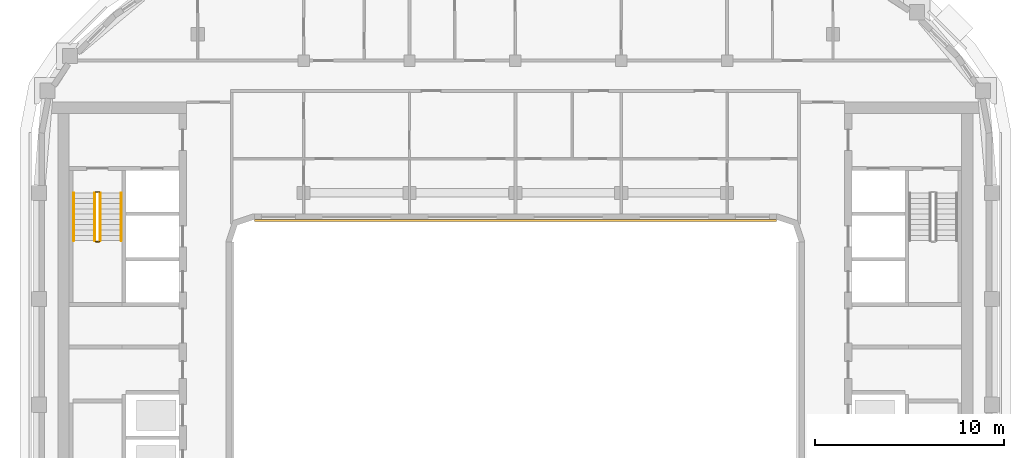
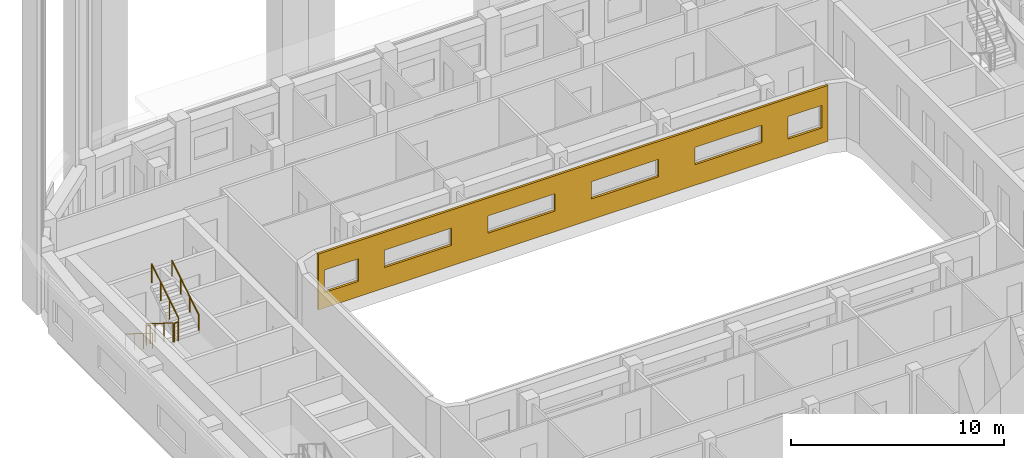
# One storey, part 14 of 19: 6 railings, 1 covering.
"""IFC4 building model written with IfcOpenShell, lengths in metres."""

from ifc_helpers import new_model, si_unit, direction, frame, origin, origin_2d, place, context, subcontext, project, spatial, polyline, circle, outline, extrude, material, layer, layer_set, type_object, element, save


model = new_model("IFC4")

# Units and contexts
model_context = context("Model", 3, precision=1e-05, world=origin(), true_north=direction((0.0, 1.0)))
body_context = subcontext(model_context, "Body", "Model", "MODEL_VIEW")
ifc_project = project(units=[si_unit("LENGTHUNIT", "METRE"), si_unit("AREAUNIT", "SQUARE_METRE"), si_unit("VOLUMEUNIT", "CUBIC_METRE"), si_unit("PLANEANGLEUNIT", "RADIAN"), si_unit("MASSUNIT", "GRAM", prefix="KILO")], contexts=[model_context])

# Site, building, storey
site_placement = place(None, origin())
site = spatial("IfcSite", under=ifc_project, at=site_placement, CompositionType="ELEMENT")
building_placement = place(site_placement, origin())
building = spatial("IfcBuilding", under=site, at=building_placement, Name="Kiln Ring Residences", CompositionType="ELEMENT")
storey_placement = place(building_placement, frame((0.0, 0.0, 241.699951171875)))
storey = spatial("IfcBuildingStorey", under=building, at=storey_placement, Name="L62", CompositionType="ELEMENT", Elevation=241.699951171875)

# Railings
ifc_material_1 = material(Name="Stainless steel", Category="steel")
railing_type_1 = type_object("IfcRailingType", Name="CORE-STAIR-GUARD", PredefinedType="GUARDRAIL", material=ifc_material_1)
railing_1_placement = place(storey_placement, frame((-22.25, 8.39990234375, 0.175048828125)))
element("IfcRailing", 1, at=railing_1_placement, inside=storey, type_object=railing_type_1, Name="L62 W-STN stair guard 1", PredefinedType="GUARDRAIL", context=body_context, shape_type="SweptSolid", body=[
    extrude(circle(Radius=0.02392578125, at=origin_2d()), frame((0.0, 0.0, 1.076171875), z_axis=(0.0, -0.848007534815, 0.529984170421), x_axis=(1.0, 0.0, 0.0)), (0.0, 0.0, 1.0), 2.9716796875),
    extrude(circle(Radius=0.02099609375, at=origin_2d()), origin(), (0.0, 0.0, 1.0), 1.052001953125),
    extrude(circle(Radius=0.02099609375, at=origin_2d()), frame((0.0, -0.840087890625, 0.52490234375)), (0.0, 0.0, 1.0), 1.052001953125),
    extrude(circle(Radius=0.02099609375, at=origin_2d()), frame((0.0, -1.679931640625, 1.050048828125)), (0.0, 0.0, 1.0), 1.052001953125),
    extrude(circle(Radius=0.02099609375, at=origin_2d()), frame((0.0, -2.52001953125, 1.574951171875)), (0.0, 0.0, 1.0), 1.052001953125),
])
railing_2_placement = place(storey_placement, frame((-22.199951171875, 5.830078125, 1.75)))
element("IfcRailing", 2, at=railing_2_placement, inside=storey, type_object=railing_type_1, Name="L62 W-STN stair guard 2", PredefinedType="GUARDRAIL", context=body_context, shape_type="SweptSolid", body=[
    extrude(circle(Radius=0.02392578125, at=origin_2d()), frame((0.0, 0.0, 1.076171875), z_axis=(1.0, 0.0, 0.0), x_axis=(0.0, 1.0, 0.0)), (0.0, 0.0, 1.0), 0.199951171875),
    extrude(circle(Radius=0.02099609375, at=origin_2d()), origin(), (0.0, 0.0, 1.0), 1.052001953125),
    extrude(circle(Radius=0.02099609375, at=origin_2d()), frame((0.199951171875, 0.0, 0.0)), (0.0, 0.0, 1.0), 1.052001953125),
])
railing_3_placement = place(storey_placement, frame((-21.949951171875, 5.8798828125, 1.925048828125)))
element("IfcRailing", 3, at=railing_3_placement, inside=storey, type_object=railing_type_1, Name="L62 W-STN stair guard 3", PredefinedType="GUARDRAIL", context=body_context, shape_type="SweptSolid", body=[
    extrude(circle(Radius=0.02392578125, at=origin_2d()), frame((0.0, 0.0, 1.076171875), z_axis=(0.0, 0.848007534815, 0.529984170421), x_axis=(-1.0, 0.0, 0.0)), (0.0, 0.0, 1.0), 2.9716796875),
    extrude(circle(Radius=0.02099609375, at=origin_2d()), origin(), (0.0, 0.0, 1.0), 1.052001953125),
    extrude(circle(Radius=0.02099609375, at=origin_2d()), frame((0.0, 0.840087890625, 0.52490234375)), (0.0, 0.0, 1.0), 1.052001953125),
    extrude(circle(Radius=0.02099609375, at=origin_2d()), frame((0.0, 1.679931640625, 1.050048828125)), (0.0, 0.0, 1.0), 1.052001953125),
    extrude(circle(Radius=0.02099609375, at=origin_2d()), frame((0.0, 2.52001953125, 1.574951171875)), (0.0, 0.0, 1.0), 1.052001953125),
])
railing_4_placement = place(storey_placement, frame((-22.199951171875, 8.449951171875, 0.0)))
element("IfcRailing", 4, at=railing_4_placement, inside=storey, type_object=railing_type_1, Name="L62 W-STN stair guard 4", PredefinedType="GUARDRAIL", context=body_context, shape_type="SweptSolid", body=[
    extrude(circle(Radius=0.02392578125, at=origin_2d()), frame((0.0, 0.0, 1.076171875), z_axis=(1.0, 0.0, 0.0), x_axis=(0.0, 1.0, 0.0)), (0.0, 0.0, 1.0), 0.199951171875),
    extrude(circle(Radius=0.02099609375, at=origin_2d()), origin(), (0.0, 0.0, 1.0), 1.052001953125),
    extrude(circle(Radius=0.02099609375, at=origin_2d()), frame((0.199951171875, 0.0, 0.0)), (0.0, 0.0, 1.0), 1.052001953125),
])
ifc_material_2 = material(Name="Stainless steel", Category="steel")
railing_type_2 = type_object("IfcRailingType", Name="CORE-STAIR-HANDRAIL", PredefinedType="HANDRAIL", material=ifc_material_2)
railing_5_placement = place(storey_placement, frame((-23.35009765625, 8.39990234375, 0.175048828125)))
element("IfcRailing", 5, at=railing_5_placement, inside=storey, type_object=railing_type_2, Name="L62 W-STN stair handrail 1", PredefinedType="HANDRAIL", context=body_context, shape_type="SweptSolid", body=[
    extrude(circle(Radius=0.02392578125, at=origin_2d()), frame((0.0, 0.0, 0.8759765625), z_axis=(0.0, -0.848007534815, 0.529984170421), x_axis=(1.0, 0.0, 0.0)), (0.0, 0.0, 1.0), 2.9716796875),
    extrude(circle(Radius=0.02099609375, at=origin_2d()), origin(), (0.0, 0.0, 1.0), 0.851806640625),
    extrude(circle(Radius=0.02099609375, at=origin_2d()), frame((0.0, -0.840087890625, 0.52490234375)), (0.0, 0.0, 1.0), 0.851806640625),
    extrude(circle(Radius=0.02099609375, at=origin_2d()), frame((0.0, -1.679931640625, 1.050048828125)), (0.0, 0.0, 1.0), 0.851806640625),
    extrude(circle(Radius=0.02099609375, at=origin_2d()), frame((0.0, -2.52001953125, 1.574951171875)), (0.0, 0.0, 1.0), 0.851806640625),
])
railing_6_placement = place(storey_placement, frame((-20.85009765625, 5.8798828125, 1.925048828125)))
element("IfcRailing", 6, at=railing_6_placement, inside=storey, type_object=railing_type_2, Name="L62 W-STN stair handrail 2", PredefinedType="HANDRAIL", context=body_context, shape_type="SweptSolid", body=[
    extrude(circle(Radius=0.02392578125, at=origin_2d()), frame((0.0, 0.0, 0.8759765625), z_axis=(0.0, 0.848007534815, 0.529984170421), x_axis=(-1.0, 0.0, 0.0)), (0.0, 0.0, 1.0), 2.9716796875),
    extrude(circle(Radius=0.02099609375, at=origin_2d()), origin(), (0.0, 0.0, 1.0), 0.851806640625),
    extrude(circle(Radius=0.02099609375, at=origin_2d()), frame((0.0, 0.840087890625, 0.52490234375)), (0.0, 0.0, 1.0), 0.851806640625),
    extrude(circle(Radius=0.02099609375, at=origin_2d()), frame((0.0, 1.679931640625, 1.050048828125)), (0.0, 0.0, 1.0), 0.851806640625),
    extrude(circle(Radius=0.02099609375, at=origin_2d()), frame((0.0, 2.52001953125, 1.574951171875)), (0.0, 0.0, 1.0), 0.851806640625),
])

# Covering
ifc_material_3 = material(Name="Brick masonry, dark clay brick", Category="masonry")
ifc_layer = layer(ifc_material_3, 0.1201171875)
ifc_layer_set = layer_set([ifc_layer], Name="RAINSCREEN PANEL 120")
covering_type = type_object("IfcCoveringType", Name="RAINSCREEN PANEL 120", PredefinedType="CLADDING", material=ifc_layer_set)
covering_placement = place(storey_placement, frame((-13.800048828125, 6.93994140625, 0.0), z_axis=(0.0, 0.0, 1.0), x_axis=(1.0, 0.0, 0.0)))
element("IfcCovering", 7, at=covering_placement, inside=storey, type_object=covering_type, Name="RAINSCREEN L62", PredefinedType="CLADDING", context=body_context, shape_type="SweptSolid", body=[
    extrude(outline(polyline([(0.0, 0.0), (27.60009765625, 0.0), (27.60009765625, 3.199951171875), (0.0, 3.199951171875), (0.0, 0.0)]), holes=[polyline([(2.1826171875, 0.880126953125), (2.1826171875, 2.170166015625), (0.342529296875, 2.170166015625), (0.342529296875, 0.880126953125), (2.1826171875, 0.880126953125)]), polyline([(25.41748046875, 0.880126953125), (27.257568359375, 0.880126953125), (27.257568359375, 2.170166015625), (25.41748046875, 2.170166015625), (25.41748046875, 0.880126953125)]), polyline([(3.580078125, 1.179931640625), (7.219970703125, 1.179931640625), (7.219970703125, 2.170166015625), (3.580078125, 2.170166015625), (3.580078125, 1.179931640625)]), polyline([(12.820068359375, 1.179931640625), (12.820068359375, 2.170166015625), (9.179931640625, 2.170166015625), (9.179931640625, 1.179931640625), (12.820068359375, 1.179931640625)]), polyline([(14.780029296875, 1.179931640625), (18.419921875, 1.179931640625), (18.419921875, 2.170166015625), (14.780029296875, 2.170166015625), (14.780029296875, 1.179931640625)]), polyline([(20.3798828125, 1.179931640625), (24.02001953125, 1.179931640625), (24.02001953125, 2.170166015625), (20.3798828125, 2.170166015625), (20.3798828125, 1.179931640625)])]), frame((0.0, 0.06005859375, 0.0), z_axis=(0.0, -1.0, 0.0), x_axis=(1.0, 0.0, 0.0)), (0.0, 0.0, 1.0), 0.1201171875),
])

save(model, "model.ifc")
